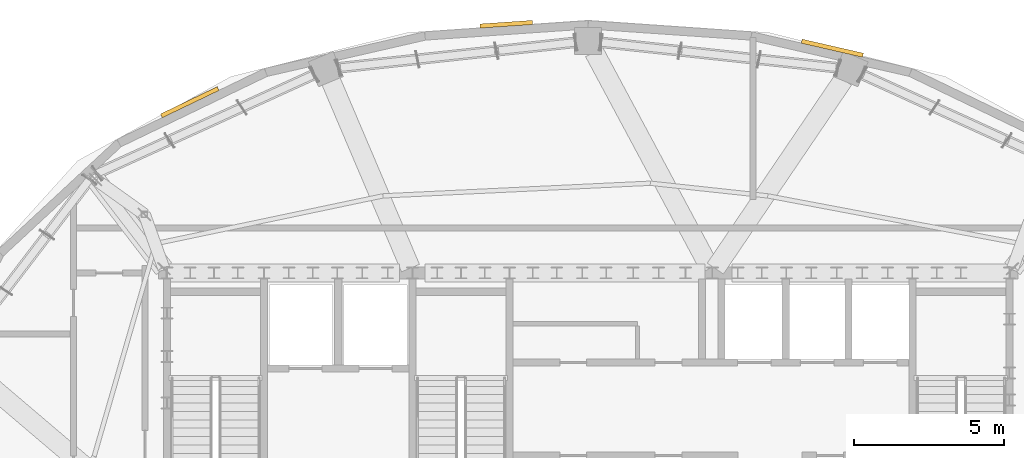
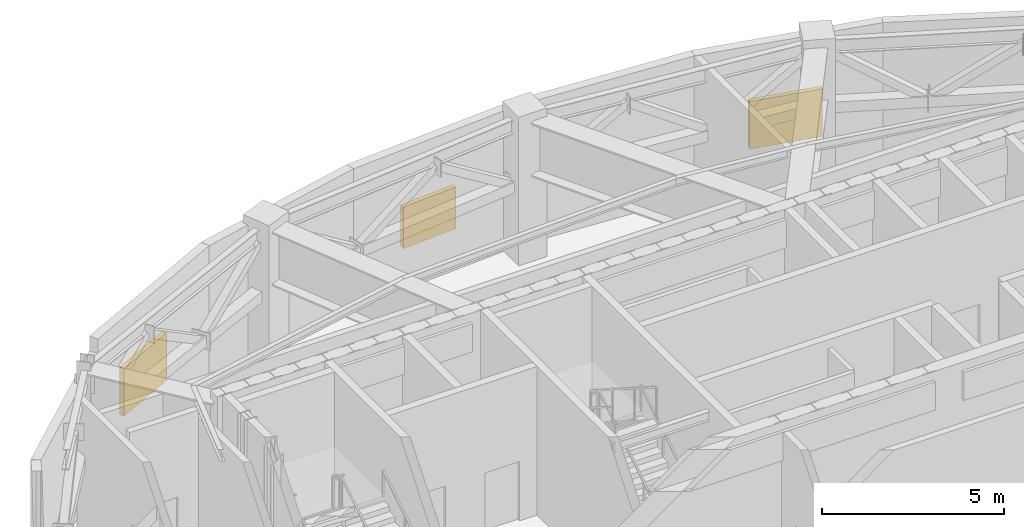
# One storey, part 15 of 15: 3 shading devices.
"""IFC4 building model written with IfcOpenShell, lengths in metres."""

from ifc_helpers import new_model, si_unit, direction, frame, origin, origin_2d, place, context, subcontext, project, spatial, rectangle, extrude, material, type_object, element, save


model = new_model("IFC4")

# Units and contexts
model_context = context("Model", 3, precision=1e-05, world=origin(), true_north=direction((0.0, 1.0)))
body_context = subcontext(model_context, "Body", "Model", "MODEL_VIEW")
ifc_project = project(units=[si_unit("LENGTHUNIT", "METRE"), si_unit("AREAUNIT", "SQUARE_METRE"), si_unit("VOLUMEUNIT", "CUBIC_METRE"), si_unit("PLANEANGLEUNIT", "RADIAN"), si_unit("MASSUNIT", "GRAM", prefix="KILO")], contexts=[model_context])

# Site, building, storey
site_placement = place(None, origin())
site = spatial("IfcSite", under=ifc_project, at=site_placement, CompositionType="ELEMENT")
building_placement = place(site_placement, origin())
building = spatial("IfcBuilding", under=site, at=building_placement, Name="Haldorwick Loom Tower", CompositionType="ELEMENT")
storey_placement = place(building_placement, frame((0.0, 0.0, 286.5)))
storey = spatial("IfcBuildingStorey", under=building, at=storey_placement, Name="L77", CompositionType="ELEMENT", Elevation=286.5)

# Shading devices
ifc_material = material(Name="Extruded Anodized Aluminium Weather Louvre", Category="aluminium")
shading_device_type_1 = type_object("IfcShadingDeviceType", Name="ARC-SHD-LOUVRE", PredefinedType="JALOUSIE", material=ifc_material)
for number, where, z_axis, x_axis, name in (
    (1, (44.154541015625, 43.052978515625, 1.050048828125), (0.0, 0.0, 1.0), (-0.974761194191, 0.223250116011, 0.0), "L77 Mechanical Intake Weather Louvre 5"),
    (2, (22.69140625, 41.249267578125, 1.050048828125), (0.0, 0.0, 1.0), (-0.901077021322, -0.433659084588, 0.0), "L77 Mechanical Intake Weather Louvre 9"),
):
    element("IfcShadingDevice", number, at=place(storey_placement, frame(where, z_axis=z_axis, x_axis=x_axis)), inside=storey, type_object=shading_device_type_1, Name=name, PredefinedType="JALOUSIE", context=body_context, shape_type="SweptSolid", body=[
        extrude(rectangle(XDim=2.10009765625, YDim=0.139892578125, at=origin_2d()), origin(), (0.0, 0.0, 1.0), 1.60009765625),
    ])
shading_device_type_2 = type_object("IfcShadingDeviceType", Name="ARC-SHD-LOUVRE2", PredefinedType="JALOUSIE", material=ifc_material)
shading_device_placement = place(storey_placement, frame((33.26171875, 43.853271484375, 1.150146484375), z_axis=(0.0, 0.0, 1.0), x_axis=(-0.997684278836, -0.068015290665, 0.0)))
element("IfcShadingDevice", 3, at=shading_device_placement, inside=storey, type_object=shading_device_type_2, Name="L77 Mechanical Intake Weather Louvre 7", PredefinedType="JALOUSIE", context=body_context, shape_type="SweptSolid", body=[
    extrude(rectangle(XDim=1.75, YDim=0.139892578125, at=origin_2d()), origin(), (0.0, 0.0, 1.0), 1.39990234375),
])

save(model, "model.ifc")
